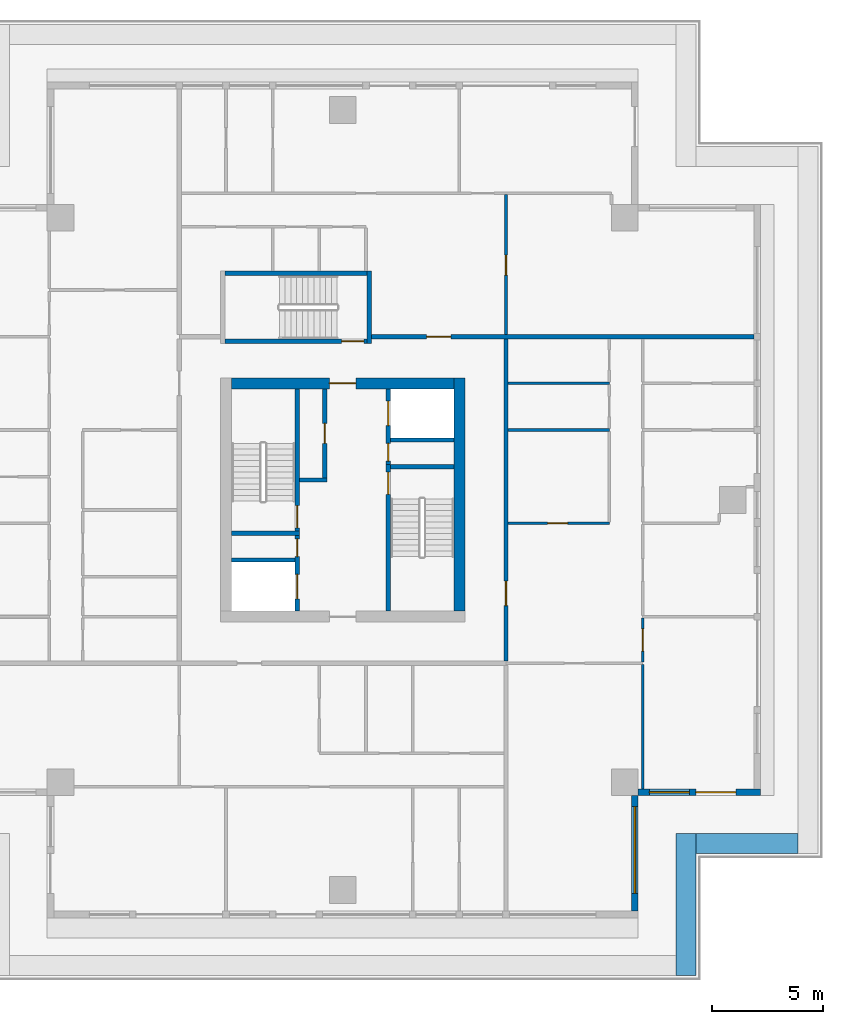
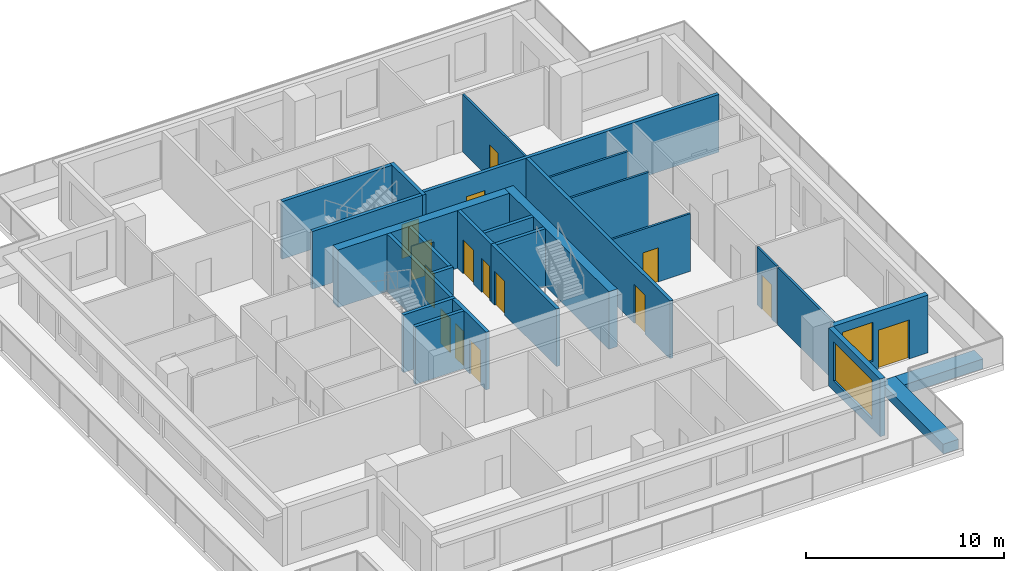
# One storey, part 4 of 10: 27 walls, 15 doors, 2 windows, 17 openings.
"""IFC4 building model written with IfcOpenShell, lengths in metres."""

import ifcopenshell
import ifcopenshell.guid

model = None  # the IFC model being written
_history = None  # IfcOwnerHistory: only IFC2X3 demands one
_inside = {}  # id of a spatial element -> (the spatial element, [elements in it])
_under = {}  # id of a project, library or spatial element -> (it, [spatial elements below it])
_declared = {}  # id of a project -> (the project, [libraries it declares])
_typed = {}  # id of a type object -> (the type object, [elements of that type])
_made_of = {}  # id of a material, layer set ... -> (it, [elements and type objects made of it])


def new_model(schema):
    """Start an empty IFC model of exactly this schema.

    Asked for "IFC4X3", IfcOpenShell would pick the latest addendum, in which some entities
    have other attributes; the version numbers below select the first issue.
    IFC2X3 requires an IfcOwnerHistory on every rooted entity: one is made here for all.
    """
    global model, _history
    if schema == "IFC4X3":
        model = ifcopenshell.file(schema_version=(4, 3, 0, 0))
    else:
        model = ifcopenshell.file(schema=schema)
    _inside.clear()
    _under.clear()
    _declared.clear()
    _typed.clear()
    _made_of.clear()
    _history = None
    if model.schema == "IFC2X3":
        org = make("IfcOrganization", Name="unknown")
        user = make(
            "IfcPersonAndOrganization",
            ThePerson=make("IfcPerson", FamilyName="unknown"),
            TheOrganization=org,
        )
        app = make(
            "IfcApplication",
            ApplicationDeveloper=org,
            Version="unknown",
            ApplicationFullName="unknown",
            ApplicationIdentifier="unknown",
        )
        _history = make(
            "IfcOwnerHistory",
            OwningUser=user,
            OwningApplication=app,
            ChangeAction="ADDED",
            CreationDate=0,
        )
    return model


def make(cls, **values):
    """One entity of the class cls with the attributes given. An attribute that is None is left unset."""
    return model.create_entity(
        cls, **{name: value for name, value in values.items() if value is not None}
    )


def rooted(cls, **values):
    """An entity with a GlobalId (a new one), such as an element, a storey or a relation."""
    return make(cls, GlobalId=ifcopenshell.guid.new(), OwnerHistory=_history, **values)


def si_unit(unit_type, name, prefix=None):
    """IfcSIUnit, for example si_unit("LENGTHUNIT", "METRE", prefix="MILLI")."""
    return make("IfcSIUnit", UnitType=unit_type, Prefix=prefix, Name=name)


def assignment(units):
    """IfcUnitAssignment: the units of a project."""
    return None if units is None else make("IfcUnitAssignment", Units=units)


def point(xyz):
    """IfcCartesianPoint."""
    return None if xyz is None else make("IfcCartesianPoint", Coordinates=xyz)


def direction(xyz):
    """IfcDirection."""
    return None if xyz is None else make("IfcDirection", DirectionRatios=xyz)


def frame(location, z_axis=None, x_axis=None):
    """IfcAxis2Placement3D, a coordinate frame: its origin and axes. An axis left out is left unset."""
    return make(
        "IfcAxis2Placement3D",
        Location=point(location),
        Axis=direction(z_axis),
        RefDirection=direction(x_axis),
    )


def frame_2d(location, x_axis=None):
    """IfcAxis2Placement2D, a coordinate frame in the plane: its origin and x axis."""
    return make(
        "IfcAxis2Placement2D", Location=point(location), RefDirection=direction(x_axis)
    )


def origin():
    """The frame at (0, 0, 0) with its axes left unset."""
    return frame((0.0, 0.0, 0.0))


def place(relative_to, where):
    """IfcLocalPlacement: puts the frame where relative to a parent placement (None: the world)."""
    return make(
        "IfcLocalPlacement", PlacementRelTo=relative_to, RelativePlacement=where
    )


def context(
    kind, dimensions, precision=None, world=None, true_north=None, identifier=None
):
    """IfcGeometricRepresentationContext, for example the 3D "Model" context."""
    return make(
        "IfcGeometricRepresentationContext",
        ContextIdentifier=identifier,
        ContextType=kind,
        CoordinateSpaceDimension=dimensions,
        Precision=precision,
        WorldCoordinateSystem=world,
        TrueNorth=true_north,
    )


def subcontext(parent, identifier, kind, view, scale=None):
    """IfcGeometricRepresentationSubContext, for example "Body" below "Model"."""
    return make(
        "IfcGeometricRepresentationSubContext",
        ContextIdentifier=identifier,
        ContextType=kind,
        ParentContext=parent,
        TargetScale=scale,
        TargetView=view,
    )


def project(units=None, contexts=None):
    """IfcProject with its units and contexts."""
    return rooted(
        "IfcProject",
        Name="project",
        RepresentationContexts=contexts,
        UnitsInContext=assignment(units),
    )


def spatial(cls, under=None, at=None, **own):
    """A site, building, storey or space (cls), placed at a placement, below another one or the project."""
    s = rooted(cls, ObjectPlacement=at, **own)
    if under is not None:
        _under.setdefault(under.id(), (under, []))[1].append(s)
    return s


def profile(cls, at=None, kind="AREA", **sizes):
    """A parametric profile (cls). Its sizes go by their IFC names, for example OverallWidth=200.0."""
    return make(cls, ProfileType=kind, Position=at, **sizes)


def rectangle(**sizes):
    """IfcRectangleProfileDef."""
    return profile("IfcRectangleProfileDef", **sizes)


def extrude(swept, where, along, depth):
    """IfcExtrudedAreaSolid: the profile swept, set in the frame where, extruded along a direction by depth."""
    return make(
        "IfcExtrudedAreaSolid",
        SweptArea=swept,
        Position=where,
        ExtrudedDirection=direction(along),
        Depth=depth,
    )


def shape(context_of_items, identifier, shape_type, items):
    """IfcShapeRepresentation: the items that make up one representation, for example the "Body"."""
    return make(
        "IfcShapeRepresentation",
        ContextOfItems=context_of_items,
        RepresentationIdentifier=identifier,
        RepresentationType=shape_type,
        Items=items,
    )


def material(Name=None, Category=None):
    """IfcMaterial."""
    return make("IfcMaterial", Name=Name, Category=Category)


def layer(
    of_material, thickness, ventilated=None, Name=None, Category=None, Priority=None
):
    """IfcMaterialLayer: one layer of a wall or slab, of a material (None: an air gap)."""
    return make(
        "IfcMaterialLayer",
        Material=of_material,
        LayerThickness=thickness,
        IsVentilated=ventilated,
        Name=Name,
        Category=Category,
        Priority=Priority,
    )


def layer_set(layers, Name=None):
    """IfcMaterialLayerSet."""
    return make("IfcMaterialLayerSet", MaterialLayers=layers, LayerSetName=Name)


def made_of(thing, what):
    """Note that an element or type object is made of a material, layer set ...; save() writes the relation."""
    if what is not None:
        _made_of.setdefault(what.id(), (what, []))[1].append(thing)
    return thing


def type_object(cls, material=None, **own):
    """A type object (cls), such as IfcWallType, which elements share."""
    return made_of(rooted(cls, **own), material)


def element(
    cls,
    number,
    at=None,
    inside=None,
    cuts=None,
    type_object=None,
    material=None,
    context=None,
    identifier="Body",
    shape_type=None,
    held_by="IfcProductDefinitionShape",
    body=None,
    shapes=None,
    **own,
):
    """One element of the class cls, such as IfcWall. Its Tag is "e" and its number.

    at: its placement. inside: the storey or other place that contains it. cuts: it is an
    opening in that element (IfcRelVoidsElement). A single representation is given by context,
    identifier, shape_type and body (its items); several are given by shapes. held_by: the class
    of the entity that holds the representations. save() writes the other relations.
    """
    e = rooted(cls, Tag="e%d" % number, ObjectPlacement=at, **own)
    if body is not None:
        shapes = [shape(context, identifier, shape_type, body)]
    if shapes is not None:
        e.Representation = make(held_by, Representations=shapes)
    if inside is not None:
        _inside.setdefault(inside.id(), (inside, []))[1].append(e)
    if cuts is not None:
        rooted(
            "IfcRelVoidsElement", RelatingBuildingElement=cuts, RelatedOpeningElement=e
        )
    if type_object is not None:
        _typed.setdefault(type_object.id(), (type_object, []))[1].append(e)
    return made_of(e, material)


def fill(opening, filler):
    """IfcRelFillsElement: the door or window that sits in an opening."""
    return rooted(
        "IfcRelFillsElement",
        RelatingOpeningElement=opening,
        RelatedBuildingElement=filler,
    )


def aggregate(whole, parts):
    """IfcRelAggregates: a whole, such as a stair, and the parts it consists of."""
    return rooted("IfcRelAggregates", RelatingObject=whole, RelatedObjects=parts)


def save(model, path):
    """Write the relations noted so far, then the file.

    IfcRelAggregates (storeys below a building ...), IfcRelContainedInSpatialStructure (elements
    in a storey), IfcRelDefinesByType, IfcRelAssociatesMaterial and IfcRelDeclares: one each for
    every whole, place, type object, material and project.
    """
    for whole, parts in _under.values():
        aggregate(whole, parts)
    for where, things in _inside.values():
        rooted(
            "IfcRelContainedInSpatialStructure",
            RelatedElements=things,
            RelatingStructure=where,
        )
    for kind, things in _typed.values():
        rooted("IfcRelDefinesByType", RelatedObjects=things, RelatingType=kind)
    for what, things in _made_of.values():
        rooted("IfcRelAssociatesMaterial", RelatedObjects=things, RelatingMaterial=what)
    for by, libraries in _declared.values():
        rooted("IfcRelDeclares", RelatingContext=by, RelatedDefinitions=libraries)
    model.write(path)


model = new_model("IFC4")

# Units and contexts
model_context = context("Model", 3, precision=1e-05, world=origin(), true_north=direction((0.0, 1.0)))
body_context = subcontext(model_context, "Body", "Model", "MODEL_VIEW")
ifc_project = project(units=[si_unit("LENGTHUNIT", "METRE"), si_unit("AREAUNIT", "SQUARE_METRE"), si_unit("VOLUMEUNIT", "CUBIC_METRE"), si_unit("PLANEANGLEUNIT", "RADIAN"), si_unit("MASSUNIT", "GRAM", prefix="KILO")], contexts=[model_context])

# Site, building, storey
site_placement = place(None, origin())
site = spatial("IfcSite", under=ifc_project, at=site_placement, CompositionType="ELEMENT")
building_placement = place(site_placement, origin())
building = spatial("IfcBuilding", under=site, at=building_placement, Name="Khepri Terraces", CompositionType="ELEMENT")
storey_placement = place(building_placement, frame((0.0, 0.0, 300.60009765625)))
storey = spatial("IfcBuildingStorey", under=building, at=storey_placement, Name="L72", CompositionType="ELEMENT", Elevation=300.60009765625)

# Wall, opening, door
ifc_material_1 = material(Name="Concrete C40/50", Category="concrete")
ifc_layer_1 = layer(ifc_material_1, 0.199951171875, Name="Concrete C40/50", Category="concrete")
ifc_layer_set_1 = layer_set([ifc_layer_1], Name="Concrete C40/50")
wall_type_1 = type_object("IfcWallType", Name="Core wall 200 C40/50", PredefinedType="SHEAR", material=ifc_layer_set_1)
wall_1_placement = place(storey_placement, frame((2.050048828125, -5.0, 0.0), z_axis=(0.0, 0.0, 1.0), x_axis=(0.0, 1.0, 0.0)))
wall_1 = element("IfcWall", 1, at=wall_1_placement, inside=storey, type_object=wall_type_1, Name="Core wall ST01 L72", PredefinedType="SHEAR", context=body_context, shape_type="SweptSolid", body=[
    extrude(rectangle(XDim=6.60009765625, YDim=0.199951171875, at=frame_2d((3.300048828125, 0.0))), origin(), (0.0, 0.0, 1.0), 3.5498046875),
])
opening_1_placement = place(wall_1_placement, frame((5.25, 0.0, 0.0)))
opening_1 = element("IfcOpeningElement", 2, at=opening_1_placement, cuts=wall_1, Name="Opening L72-C04", PredefinedType="OPENING", context=body_context, shape_type="SweptSolid", body=[
    extrude(rectangle(XDim=1.0, YDim=2.10009765625, at=frame_2d((0.5, 1.050048828125))), frame((0.0, 0.10986328125, 0.0), z_axis=(0.0, -1.0, 0.0), x_axis=(1.0, 0.0, 0.0)), (0.0, 0.0, 1.0), 0.219970703125),
])
ifc_material_2 = material(Name="Painted steel", Category="steel")
door_type_1 = type_object("IfcDoorType", Name="DR-CORE-STAIR-1000", OperationType="NOTDEFINED", PredefinedType="DOOR", material=ifc_material_2)
door_1_placement = place(opening_1_placement, frame((1.0, 0.0, 0.0), z_axis=(0.0, 0.0, 1.0), x_axis=(-1.0, 0.0, 0.0)))
door_1 = element("IfcDoor", 3, at=door_1_placement, inside=storey, type_object=door_type_1, Name="Stair door L72-C04", OperationType="SINGLE_SWING_LEFT", OverallHeight=2.10009765625, OverallWidth=1.0, PredefinedType="DOOR", context=body_context, shape_type="SweptSolid", body=[
    extrude(rectangle(XDim=1.0, YDim=2.10009765625, at=frame_2d((0.5, 1.050048828125))), frame((0.0, 0.02490234375, 0.0), z_axis=(0.0, -1.0, 0.0), x_axis=(1.0, 0.0, 0.0)), (0.0, 0.0, 1.0), 0.050048828125),
])
fill(opening_1, door_1)

# Wall
wall_2_placement = place(storey_placement, frame((-5.0, -1.5, 0.0), z_axis=(0.0, 0.0, 1.0), x_axis=(1.0, 0.0, 0.0)))
element("IfcWall", 4, at=wall_2_placement, inside=storey, type_object=wall_type_1, Name="Core wall ST02 L72", PredefinedType="SHEAR", context=body_context, shape_type="SweptSolid", body=[
    extrude(rectangle(XDim=3.050048828125, YDim=0.199951171875, at=frame_2d((1.52490234375, 0.0))), origin(), (0.0, 0.0, 1.0), 3.5498046875),
])

# Wall, opening, door
wall_3_placement = place(storey_placement, frame((-2.050048828125, -1.39990234375, 0.0), z_axis=(0.0, 0.0, 1.0), x_axis=(0.0, 1.0, 0.0)))
wall_3 = element("IfcWall", 5, at=wall_3_placement, inside=storey, type_object=wall_type_1, Name="Core wall ST03 L72", PredefinedType="SHEAR", context=body_context, shape_type="SweptSolid", body=[
    extrude(rectangle(XDim=6.39990234375, YDim=0.199951171875, at=frame_2d((3.199951171875, 0.0))), origin(), (0.0, 0.0, 1.0), 3.5498046875),
])
opening_2_placement = place(wall_3_placement, frame((0.14990234375, 0.0, 0.0)))
opening_2 = element("IfcOpeningElement", 6, at=opening_2_placement, cuts=wall_3, Name="Opening L72-C03", PredefinedType="OPENING", context=body_context, shape_type="SweptSolid", body=[
    extrude(rectangle(XDim=1.0, YDim=2.10009765625, at=frame_2d((0.5, 1.050048828125))), frame((0.0, 0.10986328125, 0.0), z_axis=(0.0, -1.0, 0.0), x_axis=(1.0, 0.0, 0.0)), (0.0, 0.0, 1.0), 0.219970703125),
])
door_2_placement = place(opening_2_placement, origin())
door_2 = element("IfcDoor", 7, at=door_2_placement, inside=storey, type_object=door_type_1, Name="Stair door L72-C03", OperationType="SINGLE_SWING_LEFT", OverallHeight=2.10009765625, OverallWidth=1.0, PredefinedType="DOOR", context=body_context, shape_type="SweptSolid", body=[
    extrude(rectangle(XDim=1.0, YDim=2.10009765625, at=frame_2d((0.5, 1.050048828125))), frame((0.0, 0.02490234375, 0.0), z_axis=(0.0, -1.0, 0.0), x_axis=(1.0, 0.0, 0.0)), (0.0, 0.0, 1.0), 0.050048828125),
])
fill(opening_2, door_2)

# Wall
wall_4_placement = place(storey_placement, frame((2.14990234375, 1.5, 0.0), z_axis=(0.0, 0.0, 1.0), x_axis=(1.0, 0.0, 0.0)))
element("IfcWall", 8, at=wall_4_placement, inside=storey, type_object=wall_type_1, Name="Core wall ST04 L72", PredefinedType="SHEAR", context=body_context, shape_type="SweptSolid", body=[
    extrude(rectangle(XDim=2.85009765625, YDim=0.199951171875, at=frame_2d((1.425048828125, 0.0))), origin(), (0.0, 0.0, 1.0), 3.5498046875),
])

# Wall, openings, doors
wall_5_placement = place(storey_placement, frame((-2.050048828125, -5.0, 0.0), z_axis=(0.0, 0.0, 1.0), x_axis=(0.0, 1.0, 0.0)))
wall_5 = element("IfcWall", 9, at=wall_5_placement, inside=storey, type_object=wall_type_1, Name="Core wall SH01 L72", PredefinedType="SHEAR", context=body_context, shape_type="SweptSolid", body=[
    extrude(rectangle(XDim=3.39990234375, YDim=0.199951171875, at=frame_2d((1.699951171875, 0.0))), origin(), (0.0, 0.0, 1.0), 3.5498046875),
])
opening_3_placement = place(wall_5_placement, frame((0.550048828125, 0.0, 0.0)))
opening_3 = element("IfcOpeningElement", 10, at=opening_3_placement, cuts=wall_5, Name="Opening L72-C02", PredefinedType="OPENING", context=body_context, shape_type="SweptSolid", body=[
    extrude(rectangle(XDim=1.10009765625, YDim=2.10009765625, at=frame_2d((0.550048828125, 1.050048828125))), frame((0.0, 0.10986328125, 0.0), z_axis=(0.0, -1.0, 0.0), x_axis=(1.0, 0.0, 0.0)), (0.0, 0.0, 1.0), 0.219970703125),
])
opening_4_placement = place(wall_5_placement, frame((2.449951171875, 0.0, 0.0)))
opening_4 = element("IfcOpeningElement", 11, at=opening_4_placement, cuts=wall_5, Name="Opening L72-C06", PredefinedType="OPENING", context=body_context, shape_type="SweptSolid", body=[
    extrude(rectangle(XDim=0.800048828125, YDim=2.10009765625, at=frame_2d((0.39990234375, 1.050048828125))), frame((0.0, 0.10986328125, 0.0), z_axis=(0.0, -1.0, 0.0), x_axis=(1.0, 0.0, 0.0)), (0.0, 0.0, 1.0), 0.219970703125),
])
ifc_material_3 = material(Name="Stainless steel 304", Category="steel")
door_type_2 = type_object("IfcDoorType", Name="DR-CORE-FF-LANDING-1100", OperationType="NOTDEFINED", PredefinedType="DOOR", material=ifc_material_3)
door_3_placement = place(opening_3_placement, origin())
door_3 = element("IfcDoor", 12, at=door_3_placement, inside=storey, type_object=door_type_2, Name="Firefighting lift landing door L72-C02", OperationType="SLIDING_TO_LEFT", OverallHeight=2.10009765625, OverallWidth=1.10009765625, PredefinedType="DOOR", context=body_context, shape_type="SweptSolid", body=[
    extrude(rectangle(XDim=1.10009765625, YDim=2.10009765625, at=frame_2d((0.550048828125, 1.050048828125))), frame((0.0, 0.02490234375, 0.0), z_axis=(0.0, -1.0, 0.0), x_axis=(1.0, 0.0, 0.0)), (0.0, 0.0, 1.0), 0.050048828125),
])
fill(opening_3, door_3)
door_type_3 = type_object("IfcDoorType", Name="DR-CORE-RISER-800", OperationType="NOTDEFINED", PredefinedType="DOOR", material=ifc_material_2)
door_4_placement = place(opening_4_placement, origin())
door_4 = element("IfcDoor", 13, at=door_4_placement, inside=storey, type_object=door_type_3, Name="Riser door L72-C06", OperationType="SINGLE_SWING_RIGHT", OverallHeight=2.10009765625, OverallWidth=0.800048828125, PredefinedType="DOOR", context=body_context, shape_type="SweptSolid", body=[
    extrude(rectangle(XDim=0.800048828125, YDim=2.10009765625, at=frame_2d((0.39990234375, 1.050048828125))), frame((0.0, 0.02490234375, 0.0), z_axis=(0.0, -1.0, 0.0), x_axis=(1.0, 0.0, 0.0)), (0.0, 0.0, 1.0), 0.050048828125),
])
fill(opening_4, door_4)

# Walls
wall_6_placement = place(storey_placement, frame((-5.0, -2.699951171875, 0.0), z_axis=(0.0, 0.0, 1.0), x_axis=(1.0, 0.0, 0.0)))
element("IfcWall", 14, at=wall_6_placement, inside=storey, type_object=wall_type_1, Name="Core wall SH02 L72", PredefinedType="SHEAR", context=body_context, shape_type="SweptSolid", body=[
    extrude(rectangle(XDim=2.85009765625, YDim=0.199951171875, at=frame_2d((1.425048828125, 0.0))), origin(), (0.0, 0.0, 1.0), 3.5498046875),
])
wall_7_placement = place(storey_placement, frame((-1.949951171875, 0.89990234375, 0.0), z_axis=(0.0, 0.0, 1.0), x_axis=(1.0, 0.0, 0.0)))
element("IfcWall", 15, at=wall_7_placement, inside=storey, type_object=wall_type_1, Name="Core wall SH03 L72", PredefinedType="SHEAR", context=body_context, shape_type="SweptSolid", body=[
    extrude(rectangle(XDim=1.25, YDim=0.199951171875, at=frame_2d((0.625, 0.0))), origin(), (0.0, 0.0, 1.0), 3.5498046875),
])

# Wall, opening, door
wall_8_placement = place(storey_placement, frame((-0.800048828125, 1.0, 0.0), z_axis=(0.0, 0.0, 1.0), x_axis=(0.0, 1.0, 0.0)))
wall_8 = element("IfcWall", 16, at=wall_8_placement, inside=storey, type_object=wall_type_1, Name="Core wall SH04 L72", PredefinedType="SHEAR", context=body_context, shape_type="SweptSolid", body=[
    extrude(rectangle(XDim=4.0, YDim=0.199951171875, at=frame_2d((2.0, 0.0))), origin(), (0.0, 0.0, 1.0), 3.5498046875),
])
opening_5_placement = place(wall_8_placement, frame((1.550048828125, 0.0, 0.0)))
opening_5 = element("IfcOpeningElement", 17, at=opening_5_placement, cuts=wall_8, Name="Opening L72-C08", PredefinedType="OPENING", context=body_context, shape_type="SweptSolid", body=[
    extrude(rectangle(XDim=0.89990234375, YDim=2.10009765625, at=frame_2d((0.449951171875, 1.050048828125))), frame((0.0, 0.10986328125, 0.0), z_axis=(0.0, -1.0, 0.0), x_axis=(1.0, 0.0, 0.0)), (0.0, 0.0, 1.0), 0.219970703125),
])
door_type_4 = type_object("IfcDoorType", Name="DR-CORE-SERVICE-900", OperationType="NOTDEFINED", PredefinedType="DOOR", material=ifc_material_2)
door_5_placement = place(opening_5_placement, origin())
door_5 = element("IfcDoor", 18, at=door_5_placement, inside=storey, type_object=door_type_4, Name="Service room door L72-C08", OperationType="SINGLE_SWING_RIGHT", OverallHeight=2.10009765625, OverallWidth=0.89990234375, PredefinedType="DOOR", context=body_context, shape_type="SweptSolid", body=[
    extrude(rectangle(XDim=0.89990234375, YDim=2.10009765625, at=frame_2d((0.449951171875, 1.050048828125))), frame((0.0, 0.02490234375, 0.0), z_axis=(0.0, -1.0, 0.0), x_axis=(1.0, 0.0, 0.0)), (0.0, 0.0, 1.0), 0.050048828125),
])
fill(opening_5, door_5)

# Wall, openings, doors
wall_9_placement = place(storey_placement, frame((2.050048828125, 1.60009765625, 0.0), z_axis=(0.0, 0.0, 1.0), x_axis=(0.0, 1.0, 0.0)))
wall_9 = element("IfcWall", 19, at=wall_9_placement, inside=storey, type_object=wall_type_1, Name="Core wall SH05 L72", PredefinedType="SHEAR", context=body_context, shape_type="SweptSolid", body=[
    extrude(rectangle(XDim=3.39990234375, YDim=0.199951171875, at=frame_2d((1.699951171875, 0.0))), origin(), (0.0, 0.0, 1.0), 3.5498046875),
])
opening_6_placement = place(wall_9_placement, frame((1.75, 0.0, 0.0)))
opening_6 = element("IfcOpeningElement", 20, at=opening_6_placement, cuts=wall_9, Name="Opening L72-C01", PredefinedType="OPENING", context=body_context, shape_type="SweptSolid", body=[
    extrude(rectangle(XDim=1.10009765625, YDim=2.10009765625, at=frame_2d((0.550048828125, 1.050048828125))), frame((0.0, 0.10986328125, 0.0), z_axis=(0.0, -1.0, 0.0), x_axis=(1.0, 0.0, 0.0)), (0.0, 0.0, 1.0), 0.219970703125),
])
opening_7_placement = place(wall_9_placement, frame((0.14990234375, 0.0, 0.0)))
opening_7 = element("IfcOpeningElement", 21, at=opening_7_placement, cuts=wall_9, Name="Opening L72-C05", PredefinedType="OPENING", context=body_context, shape_type="SweptSolid", body=[
    extrude(rectangle(XDim=0.800048828125, YDim=2.10009765625, at=frame_2d((0.39990234375, 1.050048828125))), frame((0.0, 0.10986328125, 0.0), z_axis=(0.0, -1.0, 0.0), x_axis=(1.0, 0.0, 0.0)), (0.0, 0.0, 1.0), 0.219970703125),
])
door_6_placement = place(opening_6_placement, origin())
door_6 = element("IfcDoor", 22, at=door_6_placement, inside=storey, type_object=door_type_2, Name="Firefighting lift landing door L72-C01", OperationType="SLIDING_TO_LEFT", OverallHeight=2.10009765625, OverallWidth=1.10009765625, PredefinedType="DOOR", context=body_context, shape_type="SweptSolid", body=[
    extrude(rectangle(XDim=1.10009765625, YDim=2.10009765625, at=frame_2d((0.550048828125, 1.050048828125))), frame((0.0, 0.02490234375, 0.0), z_axis=(0.0, -1.0, 0.0), x_axis=(1.0, 0.0, 0.0)), (0.0, 0.0, 1.0), 0.050048828125),
])
fill(opening_6, door_6)
door_7_placement = place(opening_7_placement, frame((0.800048828125, 0.0, 0.0), z_axis=(0.0, 0.0, 1.0), x_axis=(-1.0, 0.0, 0.0)))
door_7 = element("IfcDoor", 23, at=door_7_placement, inside=storey, type_object=door_type_3, Name="Riser door L72-C05", OperationType="SINGLE_SWING_RIGHT", OverallHeight=2.10009765625, OverallWidth=0.800048828125, PredefinedType="DOOR", context=body_context, shape_type="SweptSolid", body=[
    extrude(rectangle(XDim=0.800048828125, YDim=2.10009765625, at=frame_2d((0.39990234375, 1.050048828125))), frame((0.0, 0.02490234375, 0.0), z_axis=(0.0, -1.0, 0.0), x_axis=(1.0, 0.0, 0.0)), (0.0, 0.0, 1.0), 0.050048828125),
])
fill(opening_7, door_7)

# Walls
wall_10_placement = place(storey_placement, frame((2.14990234375, 2.699951171875, 0.0), z_axis=(0.0, 0.0, 1.0), x_axis=(1.0, 0.0, 0.0)))
element("IfcWall", 24, at=wall_10_placement, inside=storey, type_object=wall_type_1, Name="Core wall SH06 L72", PredefinedType="SHEAR", context=body_context, shape_type="SweptSolid", body=[
    extrude(rectangle(XDim=2.85009765625, YDim=0.199951171875, at=frame_2d((1.425048828125, 0.0))), origin(), (0.0, 0.0, 1.0), 3.5498046875),
])
wall_11_placement = place(storey_placement, frame((1.199951171875, 7.050048828125, 0.0), z_axis=(0.0, 0.0, 1.0), x_axis=(0.0, 1.0, 0.0)))
element("IfcWall", 25, at=wall_11_placement, inside=storey, type_object=wall_type_1, Name="Core wall S3E L72", PredefinedType="SHEAR", context=body_context, shape_type="SweptSolid", body=[
    extrude(rectangle(XDim=3.25, YDim=0.199951171875, at=frame_2d((1.625, 0.0))), origin(), (0.0, 0.0, 1.0), 3.5498046875),
])

# Wall, opening, door
wall_12_placement = place(storey_placement, frame((-5.300048828125, 7.14990234375, 0.0), z_axis=(0.0, 0.0, 1.0), x_axis=(1.0, 0.0, 0.0)))
wall_12 = element("IfcWall", 26, at=wall_12_placement, inside=storey, type_object=wall_type_1, Name="Core wall S3S L72", PredefinedType="SHEAR", context=body_context, shape_type="SweptSolid", body=[
    extrude(rectangle(XDim=6.400146484375, YDim=0.199951171875, at=frame_2d((3.2001953125, 0.0))), origin(), (0.0, 0.0, 1.0), 3.5498046875),
])
opening_8_placement = place(wall_12_placement, frame((5.25, 0.0, 0.0)))
opening_8 = element("IfcOpeningElement", 27, at=opening_8_placement, cuts=wall_12, Name="Opening L72-C07", PredefinedType="OPENING", context=body_context, shape_type="SweptSolid", body=[
    extrude(rectangle(XDim=1.0, YDim=2.10009765625, at=frame_2d((0.5, 1.050048828125))), frame((0.0, 0.10986328125, 0.0), z_axis=(0.0, -1.0, 0.0), x_axis=(1.0, 0.0, 0.0)), (0.0, 0.0, 1.0), 0.219970703125),
])
door_8_placement = place(opening_8_placement, origin())
door_8 = element("IfcDoor", 28, at=door_8_placement, inside=storey, type_object=door_type_1, Name="Stair door L72-C07", OperationType="SINGLE_SWING_RIGHT", OverallHeight=2.10009765625, OverallWidth=1.0, PredefinedType="DOOR", context=body_context, shape_type="SweptSolid", body=[
    extrude(rectangle(XDim=1.0, YDim=2.10009765625, at=frame_2d((0.5, 1.050048828125))), frame((0.0, 0.02490234375, 0.0), z_axis=(0.0, -1.0, 0.0), x_axis=(1.0, 0.0, 0.0)), (0.0, 0.0, 1.0), 0.050048828125),
])
fill(opening_8, door_8)

# Walls
wall_13_placement = place(storey_placement, frame((-5.300048828125, 10.199951171875, 0.0), z_axis=(0.0, 0.0, 1.0), x_axis=(1.0, 0.0, 0.0)))
element("IfcWall", 29, at=wall_13_placement, inside=storey, type_object=wall_type_1, Name="Core wall S3N L72", PredefinedType="SHEAR", context=body_context, shape_type="SweptSolid", body=[
    extrude(rectangle(XDim=6.400146484375, YDim=0.199951171875, at=frame_2d((3.2001953125, 0.0))), origin(), (0.0, 0.0, 1.0), 3.5498046875),
])
ifc_layer_2 = layer(ifc_material_1, 0.5, Name="Concrete C40/50", Category="concrete")
ifc_layer_set_2 = layer_set([ifc_layer_2], Name="Concrete C40/50")
wall_type_2 = type_object("IfcWallType", Name="Core wall 500 C40/50", PredefinedType="SHEAR", material=ifc_layer_set_2)
wall_14_placement = place(storey_placement, frame((5.25, -5.0, 0.0), z_axis=(0.0, 0.0, 1.0), x_axis=(0.0, 1.0, 0.0)))
element("IfcWall", 30, at=wall_14_placement, inside=storey, type_object=wall_type_2, Name="Core wall BX03 L72", PredefinedType="SHEAR", context=body_context, shape_type="SweptSolid", body=[
    extrude(rectangle(XDim=10.5, YDim=0.5, at=frame_2d((5.25, 0.0))), origin(), (0.0, 0.0, 1.0), 3.5498046875),
])

# Wall, opening, door
wall_15_placement = place(storey_placement, frame((-5.0, 5.25, 0.0), z_axis=(0.0, 0.0, 1.0), x_axis=(1.0, 0.0, 0.0)))
wall_15 = element("IfcWall", 31, at=wall_15_placement, inside=storey, type_object=wall_type_2, Name="Core wall BX04 L72", PredefinedType="SHEAR", context=body_context, shape_type="SweptSolid", body=[
    extrude(rectangle(XDim=10.0, YDim=0.5, at=frame_2d((5.0, 0.0))), origin(), (0.0, 0.0, 1.0), 3.5498046875),
])
opening_9_placement = place(wall_15_placement, frame((4.39990234375, 0.0, 0.0)))
opening_9 = element("IfcOpeningElement", 32, at=opening_9_placement, cuts=wall_15, Name="Opening L72-C09", PredefinedType="OPENING", context=body_context, shape_type="SweptSolid", body=[
    extrude(rectangle(XDim=1.199951171875, YDim=2.10009765625, at=frame_2d((0.60009765625, 1.050048828125))), frame((0.0, 0.260009765625, 0.0), z_axis=(0.0, -1.0, 0.0), x_axis=(1.0, 0.0, 0.0)), (0.0, 0.0, 1.0), 0.52001953125),
])
door_type_5 = type_object("IfcDoorType", Name="DR-CORE-FF-LOBBY-1200", OperationType="NOTDEFINED", PredefinedType="DOOR", material=ifc_material_2)
door_9_placement = place(opening_9_placement, origin())
door_9 = element("IfcDoor", 33, at=door_9_placement, inside=storey, type_object=door_type_5, Name="Firefighting lobby door L72-C09", OperationType="SINGLE_SWING_RIGHT", OverallHeight=2.10009765625, OverallWidth=1.199951171875, PredefinedType="DOOR", context=body_context, shape_type="SweptSolid", body=[
    extrude(rectangle(XDim=1.199951171875, YDim=2.10009765625, at=frame_2d((0.60009765625, 1.050048828125))), frame((0.0, 0.02490234375, 0.0), z_axis=(0.0, -1.0, 0.0), x_axis=(1.0, 0.0, 0.0)), (0.0, 0.0, 1.0), 0.050048828125),
])
fill(opening_9, door_9)

ifc_material_4 = material(Name="Fire-rated gypsum plasterboard partition, mineral wool")
ifc_layer_3 = layer(ifc_material_4, 0.199951171875, Name="Fire-rated gypsum plasterboard partition, mineral wool")
ifc_layer_set_3 = layer_set([ifc_layer_3], Name="Fire-rated gypsum plasterboard partition, mineral wool")
wall_type_3 = type_object("IfcWallType", Name="WL-CORR-200", PredefinedType="PARTITIONING", material=ifc_layer_set_3)
wall_16_placement = place(storey_placement, frame((7.35009765625, -7.25, 0.0), z_axis=(0.0, 0.0, 1.0), x_axis=(0.0, 1.0, 0.0)))
wall_16 = element("IfcWall", 34, at=wall_16_placement, inside=storey, type_object=wall_type_3, Name="Partition P-018 L72", PredefinedType="PARTITIONING", context=body_context, shape_type="SweptSolid", body=[
    extrude(rectangle(XDim=14.5, YDim=0.199951171875, at=frame_2d((7.25, 0.0))), origin(), (0.0, 0.0, 1.0), 3.5498046875),
])
opening_10_placement = place(wall_16_placement, frame((2.5, 0.0, 0.0)))
opening_10 = element("IfcOpeningElement", 35, at=opening_10_placement, cuts=wall_16, Name="Opening D1", PredefinedType="OPENING", context=body_context, shape_type="SweptSolid", body=[
    extrude(rectangle(XDim=1.10009765625, YDim=2.39990234375, at=frame_2d((0.550048828125, 1.199951171875))), frame((0.0, 0.10986328125, 0.0), z_axis=(0.0, -1.0, 0.0), x_axis=(1.0, 0.0, 0.0)), (0.0, 0.0, 1.0), 0.219970703125),
])
ifc_material_5 = material(Name="Solid-core timber door leaf, flat entrance door", Category="wood")
door_type_6 = type_object("IfcDoorType", Name="DR-ENT-1100", OperationType="NOTDEFINED", PredefinedType="DOOR", material=ifc_material_5)
door_10_placement = place(opening_10_placement, frame((1.10009765625, 0.0, 0.0), z_axis=(0.0, 0.0, 1.0), x_axis=(-1.0, 0.0, 0.0)))
door_10 = element("IfcDoor", 36, at=door_10_placement, inside=storey, type_object=door_type_6, Name="Flat B1 entrance door", OperationType="SINGLE_SWING_RIGHT", OverallHeight=2.39990234375, OverallWidth=1.10009765625, PredefinedType="DOOR", context=body_context, shape_type="SweptSolid", body=[
    extrude(rectangle(XDim=1.10009765625, YDim=2.39990234375, at=frame_2d((0.550048828125, 1.199951171875))), frame((0.0, 0.02490234375, 0.0), z_axis=(0.0, -1.0, 0.0), x_axis=(1.0, 0.0, 0.0)), (0.0, 0.0, 1.0), 0.050048828125),
])
fill(opening_10, door_10)

wall_17_placement = place(storey_placement, frame((1.300048828125, 7.35009765625, 0.0), z_axis=(0.0, 0.0, 1.0), x_axis=(1.0, 0.0, 0.0)))
wall_17 = element("IfcWall", 37, at=wall_17_placement, inside=storey, type_object=wall_type_3, Name="Partition P-054 L72", PredefinedType="PARTITIONING", context=body_context, shape_type="SweptSolid", body=[
    extrude(rectangle(XDim=17.199951171875, YDim=0.199951171875, at=frame_2d((8.60009765625, 0.0))), origin(), (0.0, 0.0, 1.0), 3.5498046875),
])
opening_11_placement = place(wall_17_placement, frame((2.47509765625, 0.0, 0.0)))
opening_11 = element("IfcOpeningElement", 38, at=opening_11_placement, cuts=wall_17, Name="Opening D1", PredefinedType="OPENING", context=body_context, shape_type="SweptSolid", body=[
    extrude(rectangle(XDim=1.10009765625, YDim=2.39990234375, at=frame_2d((0.550048828125, 1.199951171875))), frame((0.0, 0.10986328125, 0.0), z_axis=(0.0, -1.0, 0.0), x_axis=(1.0, 0.0, 0.0)), (0.0, 0.0, 1.0), 0.219970703125),
])
door_11_placement = place(opening_11_placement, origin())
door_11 = element("IfcDoor", 39, at=door_11_placement, inside=storey, type_object=door_type_6, Name="Flat C1 entrance door", OperationType="SINGLE_SWING_LEFT", OverallHeight=2.39990234375, OverallWidth=1.10009765625, PredefinedType="DOOR", context=body_context, shape_type="SweptSolid", body=[
    extrude(rectangle(XDim=1.10009765625, YDim=2.39990234375, at=frame_2d((0.550048828125, 1.199951171875))), frame((0.0, 0.02490234375, 0.0), z_axis=(0.0, -1.0, 0.0), x_axis=(1.0, 0.0, 0.0)), (0.0, 0.0, 1.0), 0.050048828125),
])
fill(opening_11, door_11)

# Wall, opening, window
ifc_material_6 = material(Name="Precast concrete C50/60 warm stone", Category="masonry")
ifc_layer_4 = layer(ifc_material_6, 0.300048828125, Name="Precast concrete C50/60 warm stone", Category="masonry")
ifc_layer_set_4 = layer_set([ifc_layer_4], Name="Precast concrete C50/60 warm stone")
wall_type_4 = type_object("IfcWallType", Name="WL-EXT-PRECAST-300", PredefinedType="STANDARD", material=ifc_layer_set_4)
wall_18_placement = place(storey_placement, frame((13.14990234375, -18.5, 0.0), z_axis=(0.0, 0.0, 1.0), x_axis=(0.0, 1.0, 0.0)))
wall_18 = element("IfcWall", 40, at=wall_18_placement, inside=storey, type_object=wall_type_4, Name="External wall L72 E", PredefinedType="STANDARD", context=body_context, shape_type="SweptSolid", body=[
    extrude(rectangle(XDim=5.199951171875, YDim=0.300048828125, at=frame_2d((2.60009765625, 0.0))), origin(), (0.0, 0.0, 1.0), 3.5498046875),
])
opening_12_placement = place(wall_18_placement, frame((0.800048828125, 0.0, 0.60009765625)))
opening_12 = element("IfcOpeningElement", 41, at=opening_12_placement, cuts=wall_18, Name="Opening WC2", PredefinedType="OPENING", context=body_context, shape_type="SweptSolid", body=[
    extrude(rectangle(XDim=3.89990234375, YDim=2.39990234375, at=frame_2d((1.949951171875, 1.199951171875))), frame((0.0, 0.16015625, 0.0), z_axis=(0.0, -1.0, 0.0), x_axis=(1.0, 0.0, 0.0)), (0.0, 0.0, 1.0), 0.320068359375),
])
ifc_material_7 = material(Name="Clear glass", Category="glass")
window_type_1 = type_object("IfcWindowType", Name="WIN-CRN-3900x2400", PartitioningType="SINGLE_PANEL", PredefinedType="WINDOW", material=ifc_material_7)
window_1_placement = place(opening_12_placement, origin())
window_1 = element("IfcWindow", 42, at=window_1_placement, inside=storey, type_object=window_type_1, Name="Window L72 E", OverallHeight=2.39990234375, OverallWidth=3.89990234375, PartitioningType="SINGLE_PANEL", PredefinedType="WINDOW", context=body_context, shape_type="SweptSolid", body=[
    extrude(rectangle(XDim=3.89990234375, YDim=2.39990234375, at=frame_2d((1.949951171875, 1.199951171875))), frame((0.0, 0.030029296875, 0.0), z_axis=(0.0, -1.0, 0.0), x_axis=(1.0, 0.0, 0.0)), (0.0, 0.0, 1.0), 0.06005859375),
])
fill(opening_12, window_1)

# Wall, openings, door, window
wall_19_placement = place(storey_placement, frame((13.300048828125, -13.14990234375, 0.0), z_axis=(0.0, 0.0, 1.0), x_axis=(1.0, 0.0, 0.0)))
wall_19 = element("IfcWall", 43, at=wall_19_placement, inside=storey, type_object=wall_type_4, Name="External wall L72 S", PredefinedType="STANDARD", context=body_context, shape_type="SweptSolid", body=[
    extrude(rectangle(XDim=5.5, YDim=0.300048828125, at=frame_2d((2.75, 0.0))), origin(), (0.0, 0.0, 1.0), 3.5498046875),
])
opening_13_placement = place(wall_19_placement, frame((0.5, 0.0, 0.60009765625)))
opening_13 = element("IfcOpeningElement", 44, at=opening_13_placement, cuts=wall_19, Name="Opening WC1", PredefinedType="OPENING", context=body_context, shape_type="SweptSolid", body=[
    extrude(rectangle(XDim=1.800048828125, YDim=2.39990234375, at=frame_2d((0.89990234375, 1.199951171875))), frame((0.0, 0.16015625, 0.0), z_axis=(0.0, -1.0, 0.0), x_axis=(1.0, 0.0, 0.0)), (0.0, 0.0, 1.0), 0.320068359375),
])
opening_14_placement = place(wall_19_placement, frame((2.60009765625, 0.0, 0.0)))
opening_14 = element("IfcOpeningElement", 45, at=opening_14_placement, cuts=wall_19, Name="Opening ED-L72-13", PredefinedType="OPENING", context=body_context, shape_type="SweptSolid", body=[
    extrude(rectangle(XDim=1.800048828125, YDim=2.39990234375, at=frame_2d((0.89990234375, 1.199951171875))), frame((0.0, 0.16015625, 0.0), z_axis=(0.0, -1.0, 0.0), x_axis=(1.0, 0.0, 0.0)), (0.0, 0.0, 1.0), 0.320068359375),
])
ifc_material_8 = material(Name="Anodised aluminium bronze glazed door", Category="aluminium")
door_type_7 = type_object("IfcDoorType", Name="DR-BAL-SLIDE-1800x2400", OperationType="NOTDEFINED", PredefinedType="DOOR", material=ifc_material_8)
door_12_placement = place(opening_14_placement, origin())
door_12 = element("IfcDoor", 46, at=door_12_placement, inside=storey, type_object=door_type_7, Name="Balcony door L72 S", OperationType="SLIDING_TO_LEFT", OverallHeight=2.39990234375, OverallWidth=1.800048828125, PredefinedType="DOOR", context=body_context, shape_type="SweptSolid", body=[
    extrude(rectangle(XDim=1.800048828125, YDim=2.39990234375, at=frame_2d((0.89990234375, 1.199951171875))), frame((0.0, 0.02490234375, 0.0), z_axis=(0.0, -1.0, 0.0), x_axis=(1.0, 0.0, 0.0)), (0.0, 0.0, 1.0), 0.050048828125),
])
fill(opening_14, door_12)
window_type_2 = type_object("IfcWindowType", Name="WIN-CRN-1800x2400", PartitioningType="SINGLE_PANEL", PredefinedType="WINDOW", material=ifc_material_7)
window_2_placement = place(opening_13_placement, origin())
window_2 = element("IfcWindow", 47, at=window_2_placement, inside=storey, type_object=window_type_2, Name="Window L72 S", OverallHeight=2.39990234375, OverallWidth=1.800048828125, PartitioningType="SINGLE_PANEL", PredefinedType="WINDOW", context=body_context, shape_type="SweptSolid", body=[
    extrude(rectangle(XDim=1.800048828125, YDim=2.39990234375, at=frame_2d((0.89990234375, 1.199951171875))), frame((0.0, 0.030029296875, 0.0), z_axis=(0.0, -1.0, 0.0), x_axis=(1.0, 0.0, 0.0)), (0.0, 0.0, 1.0), 0.06005859375),
])
fill(opening_13, window_2)

# Wall
ifc_material_9 = material(Name="Gypsum plasterboard partition")
ifc_layer_5 = layer(ifc_material_9, 0.1201171875, Name="Gypsum plasterboard partition")
ifc_layer_set_5 = layer_set([ifc_layer_5], Name="Gypsum plasterboard partition")
wall_type_5 = type_object("IfcWallType", Name="WL-PART-120", PredefinedType="PARTITIONING", material=ifc_layer_set_5)
wall_20_placement = place(storey_placement, frame((13.5, -13.0, 0.0), z_axis=(0.0, 0.0, 1.0), x_axis=(0.0, 1.0, 0.0)))
element("IfcWall", 48, at=wall_20_placement, inside=storey, type_object=wall_type_5, Name="Partition P-005 L72", PredefinedType="PARTITIONING", context=body_context, shape_type="SweptSolid", body=[
    extrude(rectangle(XDim=5.590087890625, YDim=0.1201171875, at=frame_2d((2.794921875, 0.0))), origin(), (0.0, 0.0, 1.0), 3.5498046875),
])

# Wall, opening, door
wall_21_placement = place(storey_placement, frame((13.5, -7.2900390625, 0.0), z_axis=(0.0, 0.0, 1.0), x_axis=(0.0, 1.0, 0.0)))
wall_21 = element("IfcWall", 49, at=wall_21_placement, inside=storey, type_object=wall_type_5, Name="Partition P-014 L72", PredefinedType="PARTITIONING", context=body_context, shape_type="SweptSolid", body=[
    extrude(rectangle(XDim=1.97998046875, YDim=0.1201171875, at=frame_2d((0.989990234375, 0.0))), origin(), (0.0, 0.0, 1.0), 3.5498046875),
])
opening_15_placement = place(wall_21_placement, frame((0.489990234375, 0.0, 0.0)))
opening_15 = element("IfcOpeningElement", 50, at=opening_15_placement, cuts=wall_21, Name="Opening D2", PredefinedType="OPENING", context=body_context, shape_type="SweptSolid", body=[
    extrude(rectangle(XDim=1.0, YDim=2.10009765625, at=frame_2d((0.5, 1.050048828125))), frame((0.0, 0.070068359375, 0.0), z_axis=(0.0, -1.0, 0.0), x_axis=(1.0, 0.0, 0.0)), (0.0, 0.0, 1.0), 0.14013671875),
])
ifc_material_10 = material(Name="Timber door leaf, living room door", Category="wood")
door_type_8 = type_object("IfcDoorType", Name="DR-INT-1000", OperationType="NOTDEFINED", PredefinedType="DOOR", material=ifc_material_10)
door_13_placement = place(opening_15_placement, frame((1.0, 0.0, 0.0), z_axis=(0.0, 0.0, 1.0), x_axis=(-1.0, 0.0, 0.0)))
door_13 = element("IfcDoor", 51, at=door_13_placement, inside=storey, type_object=door_type_8, Name="Door Sun Lounge", OperationType="SINGLE_SWING_LEFT", OverallHeight=2.10009765625, OverallWidth=1.0, PredefinedType="DOOR", context=body_context, shape_type="SweptSolid", body=[
    extrude(rectangle(XDim=1.0, YDim=2.10009765625, at=frame_2d((0.5, 1.050048828125))), frame((0.0, 0.02490234375, 0.0), z_axis=(0.0, -1.0, 0.0), x_axis=(1.0, 0.0, 0.0)), (0.0, 0.0, 1.0), 0.050048828125),
])
fill(opening_15, door_13)

wall_22_placement = place(storey_placement, frame((7.449951171875, -1.050048828125, 0.0), z_axis=(0.0, 0.0, 1.0), x_axis=(1.0, 0.0, 0.0)))
wall_22 = element("IfcWall", 52, at=wall_22_placement, inside=storey, type_object=wall_type_5, Name="Partition P-028 L72", PredefinedType="PARTITIONING", context=body_context, shape_type="SweptSolid", body=[
    extrude(rectangle(XDim=4.550048828125, YDim=0.1201171875, at=frame_2d((2.27490234375, 0.0))), origin(), (0.0, 0.0, 1.0), 3.5498046875),
])
opening_16_placement = place(wall_22_placement, frame((1.77490234375, 0.0, 0.0)))
opening_16 = element("IfcOpeningElement", 53, at=opening_16_placement, cuts=wall_22, Name="Opening D3", PredefinedType="OPENING", context=body_context, shape_type="SweptSolid", body=[
    extrude(rectangle(XDim=0.89990234375, YDim=2.10009765625, at=frame_2d((0.449951171875, 1.050048828125))), frame((0.0, 0.070068359375, 0.0), z_axis=(0.0, -1.0, 0.0), x_axis=(1.0, 0.0, 0.0)), (0.0, 0.0, 1.0), 0.14013671875),
])
ifc_material_11 = material(Name="Timber door leaf", Category="wood")
door_type_9 = type_object("IfcDoorType", Name="DR-INT-900", OperationType="NOTDEFINED", PredefinedType="DOOR", material=ifc_material_11)
door_14_placement = place(opening_16_placement, origin())
door_14 = element("IfcDoor", 54, at=door_14_placement, inside=storey, type_object=door_type_9, Name="Door Kitchen", OperationType="SINGLE_SWING_LEFT", OverallHeight=2.10009765625, OverallWidth=0.89990234375, PredefinedType="DOOR", context=body_context, shape_type="SweptSolid", body=[
    extrude(rectangle(XDim=0.89990234375, YDim=2.10009765625, at=frame_2d((0.449951171875, 1.050048828125))), frame((0.0, 0.02490234375, 0.0), z_axis=(0.0, -1.0, 0.0), x_axis=(1.0, 0.0, 0.0)), (0.0, 0.0, 1.0), 0.050048828125),
])
fill(opening_16, door_14)

# Walls
for number, where, z_axis, x_axis, name in (
    (55, (7.449951171875, 3.14990234375, 0.0), (0.0, 0.0, 1.0), (1.0, 0.0, 0.0), "Partition P-043 L72"),
    (56, (7.449951171875, 5.25, 0.0), (0.0, 0.0, 1.0), (1.0, 0.0, 0.0), "Partition P-048 L72"),
):
    element("IfcWall", number, at=place(storey_placement, frame(where, z_axis=z_axis, x_axis=x_axis)), inside=storey, type_object=wall_type_5, Name=name, PredefinedType="PARTITIONING", context=body_context, shape_type="SweptSolid", body=[
        extrude(rectangle(XDim=4.550048828125, YDim=0.1201171875, at=frame_2d((2.27490234375, 0.0))), origin(), (0.0, 0.0, 1.0), 3.5498046875),
    ])

# Wall, opening, door
wall_23_placement = place(storey_placement, frame((7.35009765625, 7.449951171875, 0.0), z_axis=(0.0, 0.0, 1.0), x_axis=(0.0, 1.0, 0.0)))
wall_23 = element("IfcWall", 57, at=wall_23_placement, inside=storey, type_object=wall_type_5, Name="Partition P-057 L72", PredefinedType="PARTITIONING", context=body_context, shape_type="SweptSolid", body=[
    extrude(rectangle(XDim=6.2900390625, YDim=0.1201171875, at=frame_2d((3.14501953125, 0.0))), origin(), (0.0, 0.0, 1.0), 3.5498046875),
])
opening_17_placement = place(wall_23_placement, frame((2.675048828125, 0.0, 0.0)))
opening_17 = element("IfcOpeningElement", 58, at=opening_17_placement, cuts=wall_23, Name="Opening D3", PredefinedType="OPENING", context=body_context, shape_type="SweptSolid", body=[
    extrude(rectangle(XDim=0.89990234375, YDim=2.10009765625, at=frame_2d((0.449951171875, 1.050048828125))), frame((0.0, 0.070068359375, 0.0), z_axis=(0.0, -1.0, 0.0), x_axis=(1.0, 0.0, 0.0)), (0.0, 0.0, 1.0), 0.14013671875),
])
door_15_placement = place(opening_17_placement, frame((0.89990234375, 0.0, 0.0), z_axis=(0.0, 0.0, 1.0), x_axis=(-1.0, 0.0, 0.0)))
door_15 = element("IfcDoor", 59, at=door_15_placement, inside=storey, type_object=door_type_9, Name="Door Home Cinema", OperationType="SINGLE_SWING_RIGHT", OverallHeight=2.10009765625, OverallWidth=0.89990234375, PredefinedType="DOOR", context=body_context, shape_type="SweptSolid", body=[
    extrude(rectangle(XDim=0.89990234375, YDim=2.10009765625, at=frame_2d((0.449951171875, 1.050048828125))), frame((0.0, 0.02490234375, 0.0), z_axis=(0.0, -1.0, 0.0), x_axis=(1.0, 0.0, 0.0)), (0.0, 0.0, 1.0), 0.050048828125),
])
fill(opening_17, door_15)

# Walls
ifc_layer_6 = layer(ifc_material_6, 0.89990234375, Name="Precast concrete C50/60 warm stone", Category="masonry")
ifc_layer_set_6 = layer_set([ifc_layer_6], Name="Precast concrete C50/60 warm stone")
wall_type_6 = type_object("IfcWallType", Name="WL-PLANTER-900", PredefinedType="MOVABLE", material=ifc_layer_set_6)
wall_24_placement = place(storey_placement, frame((15.449951171875, -21.39990234375, 0.0), z_axis=(0.0, 0.0, 1.0), x_axis=(0.0, 1.0, 0.0)))
element("IfcWall", 60, at=wall_24_placement, inside=storey, type_object=wall_type_6, Name="Planter L72", PredefinedType="MOVABLE", context=body_context, shape_type="SweptSolid", body=[
    extrude(rectangle(XDim=6.39990234375, YDim=0.89990234375, at=frame_2d((3.199951171875, 0.0))), origin(), (0.0, 0.0, 1.0), 0.599853515625),
])
wall_25_placement = place(storey_placement, frame((15.89990234375, -15.449951171875, 0.0), z_axis=(0.0, 0.0, 1.0), x_axis=(1.0, 0.0, 0.0)))
element("IfcWall", 61, at=wall_25_placement, inside=storey, type_object=wall_type_6, Name="Planter L72", PredefinedType="MOVABLE", context=body_context, shape_type="SweptSolid", body=[
    extrude(rectangle(XDim=4.60009765625, YDim=0.89990234375, at=frame_2d((2.300048828125, 0.0))), origin(), (0.0, 0.0, 1.0), 0.599853515625),
])

save(model, "model.ifc")
